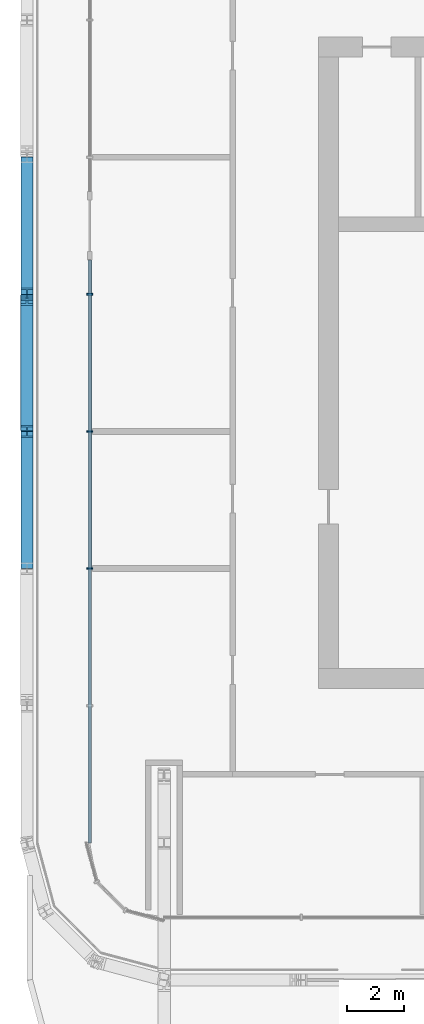
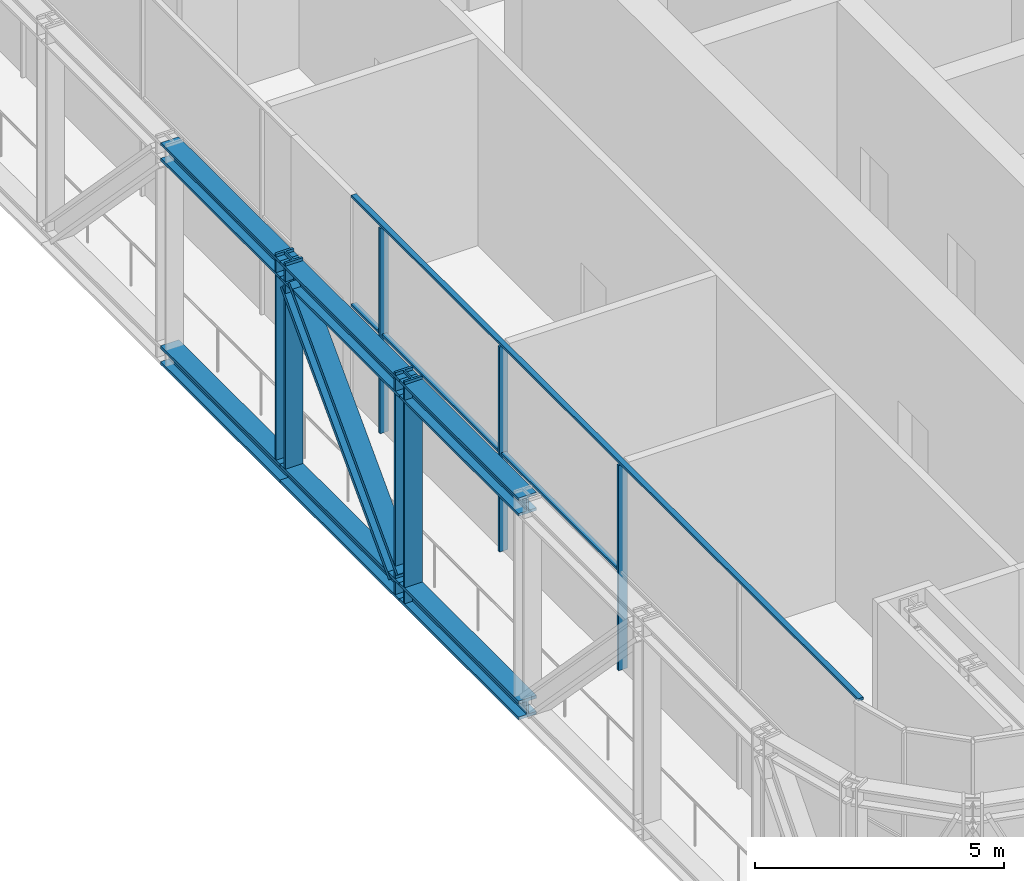
# One storey, part 4 of 22: 16 members, 1 element without a shape of its own.
"""IFC4 building model written with IfcOpenShell, lengths in metres."""

from ifc_helpers import new_model, si_unit, direction, frame, origin, origin_2d, place, context, subcontext, project, spatial, rectangle, i_section, extrude, material, layer, layer_set, material_profile, profile_set, type_object, element, aggregate, save


model = new_model("IFC4")

# Units and contexts
model_context = context("Model", 3, precision=1e-05, world=origin(), true_north=direction((0.0, 1.0)))
body_context = subcontext(model_context, "Body", "Model", "MODEL_VIEW")
ifc_project = project(units=[si_unit("LENGTHUNIT", "METRE"), si_unit("AREAUNIT", "SQUARE_METRE"), si_unit("VOLUMEUNIT", "CUBIC_METRE"), si_unit("PLANEANGLEUNIT", "RADIAN"), si_unit("MASSUNIT", "GRAM", prefix="KILO")], contexts=[model_context])

# Site, building, storey
site_placement = place(None, origin())
site = spatial("IfcSite", under=ifc_project, at=site_placement, CompositionType="ELEMENT")
building_placement = place(site_placement, origin())
building = spatial("IfcBuilding", under=site, at=building_placement, Name="Madar Terraces", CompositionType="ELEMENT")
storey_placement = place(building_placement, frame((0.0, 0.0, 203.39990234375)))
storey = spatial("IfcBuildingStorey", under=building, at=storey_placement, Name="L53", CompositionType="ELEMENT", Elevation=203.39990234375)

# Members
ifc_material_1 = material(Name="Steel ASTM A992 Grade 50", Category="steel")
ifc_material_profile_1 = material_profile(ifc_material_1, i_section(OverallWidth=0.421630859375, OverallDepth=0.46484375, WebThickness=0.044921875, FlangeThickness=0.072509765625, at=origin_2d()), Name="W14x398")
ifc_profile_set_1 = profile_set([ifc_material_profile_1], Name="Steel ASTM A992 Grade 50")
member_type_1 = type_object("IfcMemberType", Name="BC7 W14x398", PredefinedType="CHORD", material=ifc_profile_set_1)
for number, where, z_axis, x_axis, name in (
    (1, (4.800048828125, 33.60009765625, -0.1875), (0.0, -1.0, 0.0), (1.0, 0.0, 0.0), "Exoskeleton truss ring bottom chord BC7"),
    (2, (4.800048828125, 28.800048828125, -0.1875), (0.0, -1.0, 0.0), (1.0, 0.0, 0.0), "Exoskeleton truss ring bottom chord BC7"),
    (3, (4.800048828125, 24.0, -0.1875), (0.0, -1.0, 0.0), (1.0, 0.0, 0.0), "Exoskeleton truss ring bottom chord BC7"),
):
    element("IfcMember", number, at=place(storey_placement, frame(where, z_axis=z_axis, x_axis=x_axis)), inside=storey, type_object=member_type_1, Name=name, PredefinedType="CHORD", context=body_context, shape_type="SweptSolid", body=[
        extrude(i_section(OverallWidth=0.421630859375, OverallDepth=0.46484375, WebThickness=0.044921875, FlangeThickness=0.072509765625, at=origin_2d()), origin(), (0.0, 0.0, 1.0), 4.800048828125),
    ])

# Curtain wall, members
ifc_material_2 = material(Name="Glass, ceramic frit dark grey, with black aluminium frame", Category="aluminium")
ifc_layer = layer(ifc_material_2, 0.199951171875)
ifc_layer_set = layer_set([ifc_layer], Name="Facade curtain wall, tall glazing")
curtain_wall_type = type_object("IfcCurtainWallType", Name="Facade curtain wall, tall glazing", PredefinedType="NOTDEFINED", material=ifc_layer_set)
curtain_wall_placement = place(storey_placement, origin())
curtain_wall = element("IfcCurtainWall", 4, at=curtain_wall_placement, inside=storey, type_object=curtain_wall_type, Name="Outer skin curtain wall west bay 1", PredefinedType="NOTDEFINED")
ifc_material_3 = material(Name="Aluminium, black anodised", Category="aluminium")
ifc_material_profile_2 = material_profile(ifc_material_3, rectangle(XDim=0.199951171875, YDim=0.06005859375, at=origin_2d()), Name="Facade mullion 60x200")
ifc_profile_set_2 = profile_set([ifc_material_profile_2], Name="Aluminium, black anodised")
member_type_2 = type_object("IfcMemberType", Name="Facade mullion 60x200", PredefinedType="MULLION", material=ifc_profile_set_2)
member_1_placement = place(storey_placement, frame((7.0, 28.800048828125, 0.0), z_axis=(0.0, 0.0, 1.0), x_axis=(1.0, 0.0, 0.0)))
member_1 = element("IfcMember", 5, at=member_1_placement, type_object=member_type_2, Name="Mullion 4", PredefinedType="MULLION", context=body_context, shape_type="SweptSolid", body=[
    extrude(rectangle(XDim=0.199951171875, YDim=0.06005859375, at=origin_2d()), origin(), (0.0, 0.0, 1.0), 5.0400390625),
])
member_2_placement = place(storey_placement, frame((7.0, 24.0, 0.0), z_axis=(0.0, 0.0, 1.0), x_axis=(1.0, 0.0, 0.0)))
member_2 = element("IfcMember", 6, at=member_2_placement, type_object=member_type_2, Name="Mullion 5", PredefinedType="MULLION", context=body_context, shape_type="SweptSolid", body=[
    extrude(rectangle(XDim=0.199951171875, YDim=0.06005859375, at=origin_2d()), origin(), (0.0, 0.0, 1.0), 5.0400390625),
])
member_3_placement = place(storey_placement, frame((7.0, 19.199951171875, 0.0), z_axis=(0.0, 0.0, 1.0), x_axis=(1.0, 0.0, 0.0)))
member_3 = element("IfcMember", 7, at=member_3_placement, type_object=member_type_2, Name="Mullion 6", PredefinedType="MULLION", context=body_context, shape_type="SweptSolid", body=[
    extrude(rectangle(XDim=0.199951171875, YDim=0.06005859375, at=origin_2d()), origin(), (0.0, 0.0, 1.0), 5.0400390625),
])
ifc_material_4 = material(Name="Aluminium, black anodised", Category="aluminium")
ifc_material_profile_3 = material_profile(ifc_material_4, rectangle(XDim=0.1201171875, YDim=0.06005859375, at=origin_2d()), Name="Facade transom 60x120")
ifc_profile_set_3 = profile_set([ifc_material_profile_3], Name="Aluminium, black anodised")
member_type_3 = type_object("IfcMemberType", Name="Facade transom 60x120", PredefinedType="USERDEFINED", material=ifc_profile_set_3)
member_4_placement = place(storey_placement, frame((7.0, 30.0, 5.070068359375), z_axis=(0.0, -1.0, 0.0), x_axis=(1.0, 0.0, 0.0)))
member_4 = element("IfcMember", 8, at=member_4_placement, type_object=member_type_3, Name="Transom 6", ObjectType="TRANSOM", PredefinedType="USERDEFINED", context=body_context, shape_type="SweptSolid", body=[
    extrude(rectangle(XDim=0.1201171875, YDim=0.06005859375, at=origin_2d()), origin(), (0.0, 0.0, 1.0), 20.39990234375),
])
member_5_placement = place(storey_placement, frame((7.0, 30.0, 2.400146484375), z_axis=(0.0, -1.0, 0.0), x_axis=(1.0, 0.0, 0.0)))
member_5 = element("IfcMember", 9, at=member_5_placement, type_object=member_type_3, Name="Transom 7", ObjectType="TRANSOM", PredefinedType="USERDEFINED", context=body_context, shape_type="SweptSolid", body=[
    extrude(rectangle(XDim=0.1201171875, YDim=0.06005859375, at=origin_2d()), origin(), (0.0, 0.0, 1.0), 1.169921875),
])
member_6_placement = place(storey_placement, frame((7.0, 28.77001953125, 2.400146484375), z_axis=(0.0, -1.0, 0.0), x_axis=(1.0, 0.0, 0.0)))
member_6 = element("IfcMember", 10, at=member_6_placement, type_object=member_type_3, Name="Transom 8", ObjectType="TRANSOM", PredefinedType="USERDEFINED", context=body_context, shape_type="SweptSolid", body=[
    extrude(rectangle(XDim=0.1201171875, YDim=0.06005859375, at=origin_2d()), origin(), (0.0, 0.0, 1.0), 4.739990234375),
])
member_7_placement = place(storey_placement, frame((7.0, 23.969970703125, 2.400146484375), z_axis=(0.0, -1.0, 0.0), x_axis=(1.0, 0.0, 0.0)))
member_7 = element("IfcMember", 11, at=member_7_placement, type_object=member_type_3, Name="Transom 9", ObjectType="TRANSOM", PredefinedType="USERDEFINED", context=body_context, shape_type="SweptSolid", body=[
    extrude(rectangle(XDim=0.1201171875, YDim=0.06005859375, at=origin_2d()), origin(), (0.0, 0.0, 1.0), 4.739990234375),
])
aggregate(curtain_wall, [member_1, member_2, member_3, member_4, member_5, member_6, member_7])

# Members
ifc_material_5 = material(Name="Steel ASTM A992 Grade 50", Category="steel")
ifc_material_profile_4 = material_profile(ifc_material_5, i_section(OverallWidth=0.41650390625, OverallDepth=0.444580078125, WebThickness=0.0390625, FlangeThickness=0.062744140625, at=origin_2d()), Name="W14x342")
ifc_profile_set_4 = profile_set([ifc_material_profile_4], Name="Steel ASTM A992 Grade 50")
member_type_4 = type_object("IfcMemberType", Name="TC7 W14x342", PredefinedType="CHORD", material=ifc_profile_set_4)
for number, where, z_axis, x_axis, name in (
    (12, (4.800048828125, 33.60009765625, 4.807861328125), (0.0, -1.0, 0.0), (1.0, 0.0, 0.0), "Exoskeleton truss ring top chord TC7"),
    (13, (4.800048828125, 28.800048828125, 4.807861328125), (0.0, -1.0, 0.0), (1.0, 0.0, 0.0), "Exoskeleton truss ring top chord TC7"),
    (14, (4.800048828125, 24.0, 4.807861328125), (0.0, -1.0, 0.0), (1.0, 0.0, 0.0), "Exoskeleton truss ring top chord TC7"),
):
    element("IfcMember", number, at=place(storey_placement, frame(where, z_axis=z_axis, x_axis=x_axis)), inside=storey, type_object=member_type_4, Name=name, PredefinedType="CHORD", context=body_context, shape_type="SweptSolid", body=[
        extrude(i_section(OverallWidth=0.41650390625, OverallDepth=0.444580078125, WebThickness=0.0390625, FlangeThickness=0.062744140625, at=origin_2d()), origin(), (0.0, 0.0, 1.0), 4.800048828125),
    ])
ifc_material_6 = material(Name="Steel ASTM A992 Grade 50", Category="steel")
ifc_material_profile_5 = material_profile(ifc_material_6, i_section(OverallWidth=0.436767578125, OverallDepth=0.51318359375, WebThickness=0.060546875, FlangeThickness=0.096923828125, at=origin_2d()), Name="W14x550")
ifc_profile_set_5 = profile_set([ifc_material_profile_5], Name="Steel ASTM A992 Grade 50")
member_type_5 = type_object("IfcMemberType", Name="TD7 W14x550", PredefinedType="BRACE", material=ifc_profile_set_5)
member_8_placement = place(storey_placement, frame((4.800048828125, 28.58642578125, 4.585693359375), z_axis=(0.0, -0.692853764203, -0.721078124359), x_axis=(1.0, 0.0, 0.0)))
element("IfcMember", 15, at=member_8_placement, inside=storey, type_object=member_type_5, Name="Exoskeleton truss ring diagonal TD7", PredefinedType="BRACE", context=body_context, shape_type="SweptSolid", body=[
    extrude(i_section(OverallWidth=0.436767578125, OverallDepth=0.51318359375, WebThickness=0.060546875, FlangeThickness=0.096923828125, at=origin_2d()), origin(), (0.0, 0.0, 1.0), 6.297119140625),
])
ifc_material_7 = material(Name="Steel ASTM A992 Grade 50", Category="steel")
ifc_material_profile_6 = material_profile(ifc_material_7, i_section(OverallWidth=0.408935546875, OverallDepth=0.424072265625, WebThickness=0.03271484375, FlangeThickness=0.052490234375, at=origin_2d()), Name="W14x283")
ifc_profile_set_6 = profile_set([ifc_material_profile_6], Name="Steel ASTM A992 Grade 50")
member_type_6 = type_object("IfcMemberType", Name="TV7 W14x283", PredefinedType="POST", material=ifc_profile_set_6)
member_9_placement = place(storey_placement, frame((4.800048828125, 28.800048828125, 0.044921875), z_axis=(0.0, 0.0, 1.0), x_axis=(1.0, 0.0, 0.0)))
element("IfcMember", 16, at=member_9_placement, inside=storey, type_object=member_type_6, Name="Exoskeleton truss ring post TV7", PredefinedType="POST", context=body_context, shape_type="SweptSolid", body=[
    extrude(i_section(OverallWidth=0.408935546875, OverallDepth=0.424072265625, WebThickness=0.03271484375, FlangeThickness=0.052490234375, at=origin_2d()), origin(), (0.0, 0.0, 1.0), 5.05517578125),
])
member_10_placement = place(storey_placement, frame((4.800048828125, 24.0, -0.419921875), z_axis=(0.0, 0.0, 1.0), x_axis=(1.0, 0.0, 0.0)))
element("IfcMember", 17, at=member_10_placement, inside=storey, type_object=member_type_6, Name="Exoskeleton truss ring post TV7", PredefinedType="POST", context=body_context, shape_type="SweptSolid", body=[
    extrude(i_section(OverallWidth=0.408935546875, OverallDepth=0.424072265625, WebThickness=0.03271484375, FlangeThickness=0.052490234375, at=origin_2d()), origin(), (0.0, 0.0, 1.0), 5.52001953125),
])

save(model, "model.ifc")
